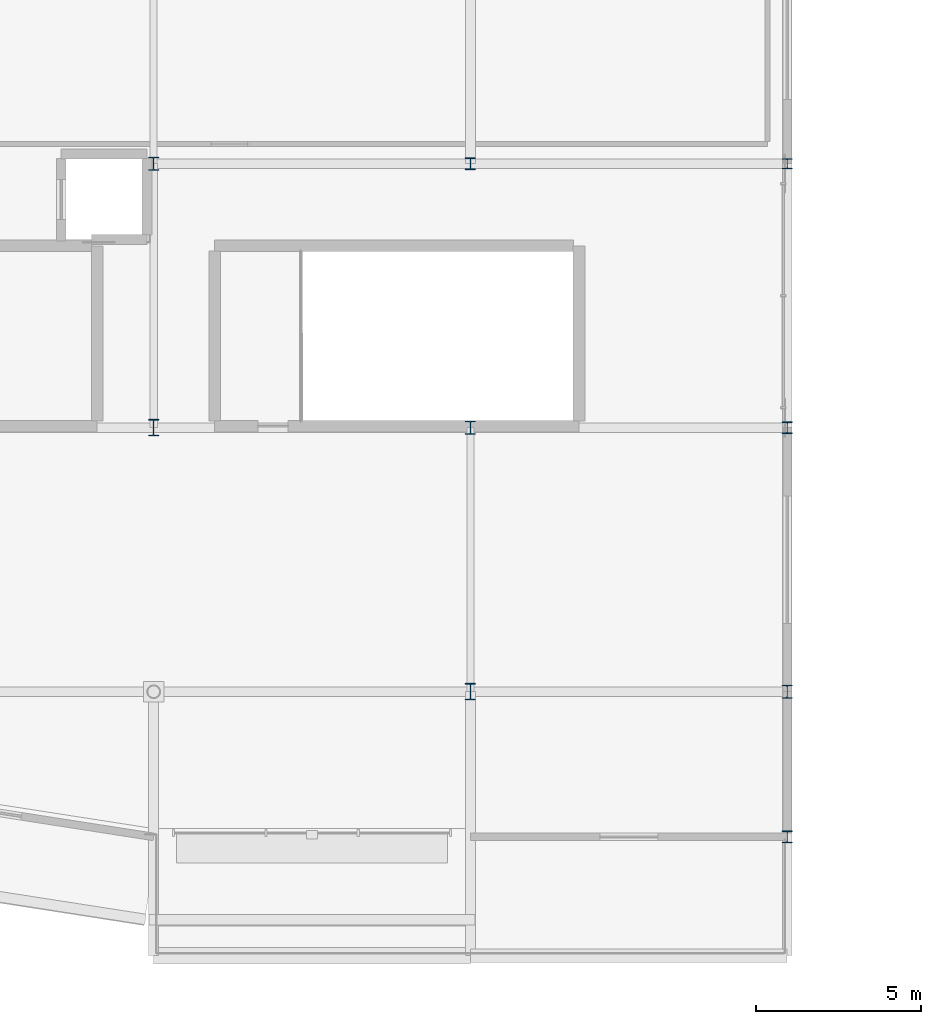
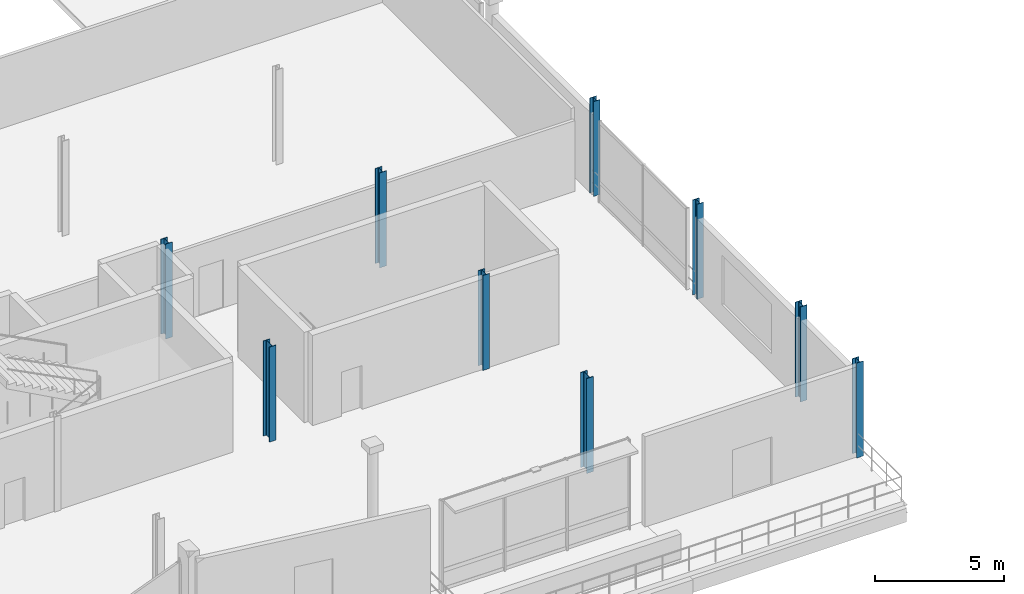
# One storey, part 6 of 59: 9 columns.
"""IFC4 building model written with IfcOpenShell, lengths in metres."""

from ifc_helpers import new_model, si_unit, direction, frame, origin, origin_2d, place, context, subcontext, project, spatial, i_section, extrude, material, material_profile, profile_set, type_object, element, save


model = new_model("IFC4")

# Units and contexts
model_context = context("Model", 3, precision=1e-05, world=origin(), true_north=direction((0.0, 1.0)))
body_context = subcontext(model_context, "Body", "Model", "MODEL_VIEW")
ifc_project = project(units=[si_unit("LENGTHUNIT", "METRE"), si_unit("AREAUNIT", "SQUARE_METRE"), si_unit("VOLUMEUNIT", "CUBIC_METRE"), si_unit("PLANEANGLEUNIT", "RADIAN"), si_unit("MASSUNIT", "GRAM", prefix="KILO")], contexts=[model_context])

# Site, building, storey
site_placement = place(None, origin())
site = spatial("IfcSite", under=ifc_project, at=site_placement, CompositionType="ELEMENT")
building_placement = place(site_placement, origin())
building = spatial("IfcBuilding", under=site, at=building_placement, Name="Danafjord Basin Convention Centre", CompositionType="ELEMENT")
storey_placement = place(building_placement, frame((0.0, 0.0, 15.89990234375)))
storey = spatial("IfcBuildingStorey", under=building, at=storey_placement, Name="L03", CompositionType="ELEMENT", Elevation=15.89990234375)

# Columns
ifc_material = material(Name="Steel S355", Category="steel")
ifc_material_profile_1 = material_profile(ifc_material, i_section(OverallWidth=0.300048828125, OverallDepth=0.300048828125, WebThickness=0.010986328125, FlangeThickness=0.01904296875, FilletRadius=0.027099609375, at=origin_2d()), Name="HEB 300")
ifc_profile_set_1 = profile_set([ifc_material_profile_1], Name="Steel S355")
column_type_1 = type_object("IfcColumnType", Name="COL-C-HEB300", PredefinedType="COLUMN", material=ifc_profile_set_1)
column_placement = place(storey_placement, frame((115.199951171875, 24.0, 0.0), z_axis=(0.0, 0.0, 1.0), x_axis=(1.0, 0.0, 0.0)))
element("IfcColumn", 1, at=column_placement, inside=storey, type_object=column_type_1, Name="L03 column C-HEB300 at (115.2, 24.0)", PredefinedType="COLUMN", context=body_context, shape_type="SweptSolid", body=[
    extrude(i_section(OverallWidth=0.300048828125, OverallDepth=0.300048828125, WebThickness=0.010986328125, FlangeThickness=0.01904296875, FilletRadius=0.027099609375, at=origin_2d()), origin(), (0.0, 0.0, 1.0), 4.5),
])
ifc_material_profile_2 = material_profile(ifc_material, i_section(OverallWidth=0.300048828125, OverallDepth=0.360107421875, WebThickness=0.012451171875, FlangeThickness=0.0224609375, FilletRadius=0.027099609375, at=origin_2d()), Name="HEB 360")
ifc_profile_set_2 = profile_set([ifc_material_profile_2], Name="Steel S355")
column_type_2 = type_object("IfcColumnType", Name="COL-C-HEB360", PredefinedType="COLUMN", material=ifc_profile_set_2)
for number, where, z_axis, x_axis, name in (
    (2, (105.60009765625, 24.0, 0.0), (0.0, 0.0, 1.0), (1.0, 0.0, 0.0), "L03 column C-HEB360 at (105.6, 24.0)"),
    (3, (115.199951171875, 16.0, 0.0), (0.0, 0.0, 1.0), (1.0, 0.0, 0.0), "L03 column C-HEB360 at (115.2, 16.0)"),
    (4, (115.199951171875, 3.60009765625, 0.0), (0.0, 0.0, 1.0), (1.0, 0.0, 0.0), "L03 column C-HEB360 at (115.2, 3.6)"),
):
    element("IfcColumn", number, at=place(storey_placement, frame(where, z_axis=z_axis, x_axis=x_axis)), inside=storey, type_object=column_type_2, Name=name, PredefinedType="COLUMN", context=body_context, shape_type="SweptSolid", body=[
        extrude(i_section(OverallWidth=0.300048828125, OverallDepth=0.360107421875, WebThickness=0.012451171875, FlangeThickness=0.0224609375, FilletRadius=0.027099609375, at=origin_2d()), origin(), (0.0, 0.0, 1.0), 4.5),
    ])
ifc_material_profile_3 = material_profile(ifc_material, i_section(OverallWidth=0.300048828125, OverallDepth=0.39990234375, WebThickness=0.013427734375, FlangeThickness=0.02392578125, FilletRadius=0.027099609375, at=origin_2d()), Name="HEB 400")
ifc_profile_set_3 = profile_set([ifc_material_profile_3], Name="Steel S355")
column_type_3 = type_object("IfcColumnType", Name="COL-C-HEB400", PredefinedType="COLUMN", material=ifc_profile_set_3)
for number, where, z_axis, x_axis, name in (
    (5, (96.0, 24.0, 0.0), (0.0, 0.0, 1.0), (1.0, 0.0, 0.0), "L03 column C-HEB400 at (96.0, 24.0)"),
    (6, (105.60009765625, 16.0, 0.0), (0.0, 0.0, 1.0), (1.0, 0.0, 0.0), "L03 column C-HEB400 at (105.6, 16.0)"),
    (7, (115.199951171875, 8.0, 0.0), (0.0, 0.0, 1.0), (1.0, 0.0, 0.0), "L03 column C-HEB400 at (115.2, 8.0)"),
):
    element("IfcColumn", number, at=place(storey_placement, frame(where, z_axis=z_axis, x_axis=x_axis)), inside=storey, type_object=column_type_3, Name=name, PredefinedType="COLUMN", context=body_context, shape_type="SweptSolid", body=[
        extrude(i_section(OverallWidth=0.300048828125, OverallDepth=0.39990234375, WebThickness=0.013427734375, FlangeThickness=0.02392578125, FilletRadius=0.027099609375, at=origin_2d()), origin(), (0.0, 0.0, 1.0), 4.5),
    ])
ifc_material_profile_4 = material_profile(ifc_material, i_section(OverallWidth=0.300048828125, OverallDepth=0.5, WebThickness=0.014404296875, FlangeThickness=0.028076171875, FilletRadius=0.027099609375, at=origin_2d()), Name="HEB 500")
ifc_profile_set_4 = profile_set([ifc_material_profile_4], Name="Steel S355")
column_type_4 = type_object("IfcColumnType", Name="COL-C-HEB500", PredefinedType="COLUMN", material=ifc_profile_set_4)
for number, where, z_axis, x_axis, name in (
    (8, (96.0, 16.0, 0.0), (0.0, 0.0, 1.0), (1.0, 0.0, 0.0), "L03 column C-HEB500 at (96.0, 16.0)"),
    (9, (105.60009765625, 8.0, 0.0), (0.0, 0.0, 1.0), (1.0, 0.0, 0.0), "L03 column C-HEB500 at (105.6, 8.0)"),
):
    element("IfcColumn", number, at=place(storey_placement, frame(where, z_axis=z_axis, x_axis=x_axis)), inside=storey, type_object=column_type_4, Name=name, PredefinedType="COLUMN", context=body_context, shape_type="SweptSolid", body=[
        extrude(i_section(OverallWidth=0.300048828125, OverallDepth=0.5, WebThickness=0.014404296875, FlangeThickness=0.028076171875, FilletRadius=0.027099609375, at=origin_2d()), origin(), (0.0, 0.0, 1.0), 4.5),
    ])

save(model, "model.ifc")
